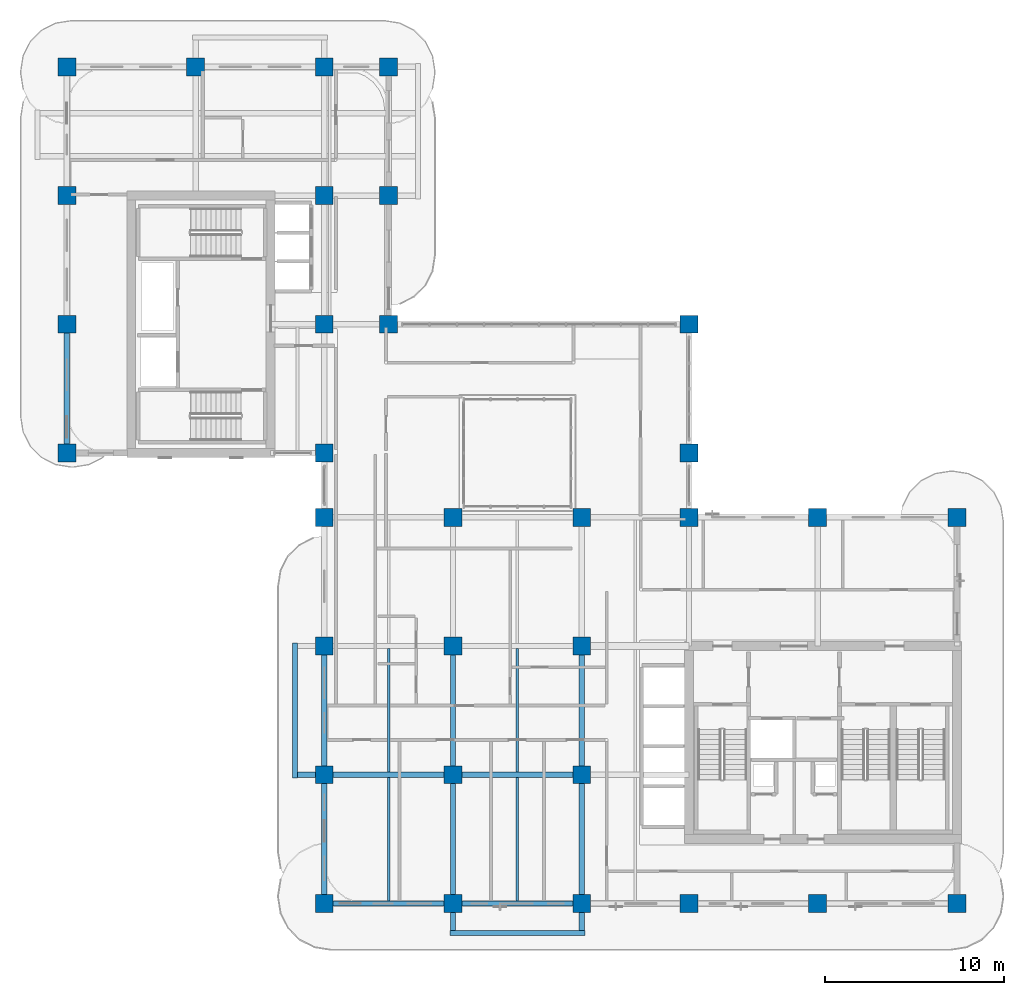
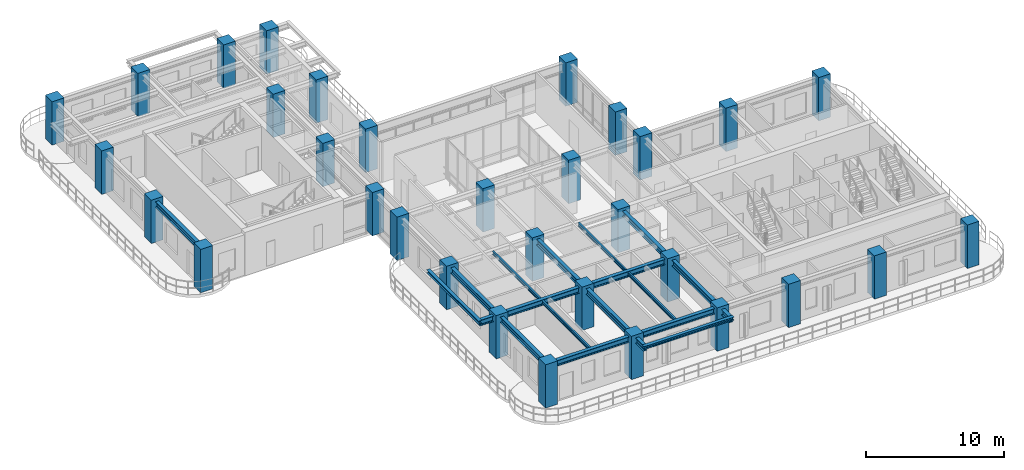
# One storey, part 1 of 21: 32 columns, 17 beams.
"""IFC4 building model written with IfcOpenShell, lengths in metres."""

from ifc_helpers import new_model, si_unit, derived_unit, direction, frame, origin, origin_2d, place, context, subcontext, project, spatial, rectangle, i_section, extrude, source, transform, mapped, material, material_profile, profile_set, type_object, type_shapes, element, save


model = new_model("IFC4")

# Units and contexts
model_context = context("Model", 3, precision=1e-05, world=origin(), true_north=direction((0.0, 1.0)))
body_context = subcontext(model_context, "Body", "Model", "MODEL_VIEW")
ifc_project = project(units=[si_unit("LENGTHUNIT", "METRE"), si_unit("AREAUNIT", "SQUARE_METRE"), si_unit("VOLUMEUNIT", "CUBIC_METRE"), si_unit("PLANEANGLEUNIT", "RADIAN"), si_unit("MASSUNIT", "GRAM", prefix="KILO"), si_unit("THERMODYNAMICTEMPERATUREUNIT", "KELVIN"), si_unit("POWERUNIT", "WATT"), derived_unit("THERMALTRANSMITTANCEUNIT", [(si_unit("POWERUNIT", "WATT"), 1), (si_unit("AREAUNIT", "SQUARE_METRE"), -1), (si_unit("THERMODYNAMICTEMPERATUREUNIT", "KELVIN"), -1)])], contexts=[model_context])

# Site, building, storey
site_placement = place(None, origin())
site = spatial("IfcSite", under=ifc_project, at=site_placement, CompositionType="ELEMENT")
building_placement = place(site_placement, origin())
building = spatial("IfcBuilding", under=site, at=building_placement, Name="Zahravan Archway Hotel and Residences", CompositionType="ELEMENT")
storey_placement = place(building_placement, frame((0.0, 0.0, 169.550048828125)))
storey = spatial("IfcBuildingStorey", under=building, at=storey_placement, Name="L42", CompositionType="ELEMENT", Elevation=169.550048828125)

# Columns
ifc_material_1 = material(Name="Concrete C60/75", Category="concrete")
ifc_material_profile_1 = material_profile(ifc_material_1, rectangle(XDim=1.0, YDim=1.0, at=origin_2d()), Name="RC-COL-1000x1000", Category="concrete")
ifc_profile_set_1 = profile_set([ifc_material_profile_1], Name="Concrete C60/75")
column_type = type_object("IfcColumnType", Name="COL-RC-1000", PredefinedType="COLUMN", material=ifc_profile_set_1)
shared_shape_1 = source(origin(), body_context, "Body", "SweptSolid", [
    extrude(rectangle(XDim=1.0, YDim=1.0, at=origin_2d()), origin(), (0.0, 0.0, 1.0), 3.849853515625),
])
for number, where, z_axis, x_axis, name in (
    (1, (0.0, 25.199951171875, 0.0), (0.0, 0.0, 1.0), (1.0, 0.0, 0.0), "L42 Column 1-E"),
    (2, (0.0, 32.39990234375, 0.0), (0.0, 0.0, 1.0), (1.0, 0.0, 0.0), "L42 Column 1-F"),
    (3, (0.0, 39.60009765625, 0.0), (0.0, 0.0, 1.0), (1.0, 0.0, 0.0), "L42 Column 1-G"),
    (4, (0.0, 46.800048828125, 0.0), (0.0, 0.0, 1.0), (1.0, 0.0, 0.0), "L42 Column 1-H"),
    (5, (7.199951171875, 46.800048828125, 0.0), (0.0, 0.0, 1.0), (1.0, 0.0, 0.0), "L42 Column 2-H"),
    (6, (14.39990234375, 0.0, 0.0), (0.0, 0.0, 1.0), (1.0, 0.0, 0.0), "L42 Column 3-A"),
    (7, (14.39990234375, 7.199951171875, 0.0), (0.0, 0.0, 1.0), (1.0, 0.0, 0.0), "L42 Column 3-B"),
    (8, (14.39990234375, 14.39990234375, 0.0), (0.0, 0.0, 1.0), (1.0, 0.0, 0.0), "L42 Column 3-C"),
    (9, (14.39990234375, 21.60009765625, 0.0), (0.0, 0.0, 1.0), (1.0, 0.0, 0.0), "L42 Column 3-D"),
    (10, (14.39990234375, 25.199951171875, 0.0), (0.0, 0.0, 1.0), (1.0, 0.0, 0.0), "L42 Column 3-E"),
    (11, (14.39990234375, 32.39990234375, 0.0), (0.0, 0.0, 1.0), (1.0, 0.0, 0.0), "L42 Column 3-F"),
    (12, (14.39990234375, 39.60009765625, 0.0), (0.0, 0.0, 1.0), (1.0, 0.0, 0.0), "L42 Column 3-G"),
    (13, (14.39990234375, 46.800048828125, 0.0), (0.0, 0.0, 1.0), (1.0, 0.0, 0.0), "L42 Column 3-H"),
    (14, (21.60009765625, 0.0, 0.0), (0.0, 0.0, 1.0), (1.0, 0.0, 0.0), "L42 Column 4-A"),
    (15, (21.60009765625, 7.199951171875, 0.0), (0.0, 0.0, 1.0), (1.0, 0.0, 0.0), "L42 Column 4-B"),
    (16, (21.60009765625, 14.39990234375, 0.0), (0.0, 0.0, 1.0), (1.0, 0.0, 0.0), "L42 Column 4-C"),
    (17, (21.60009765625, 21.60009765625, 0.0), (0.0, 0.0, 1.0), (1.0, 0.0, 0.0), "L42 Column 4-D"),
    (18, (28.800048828125, 0.0, 0.0), (0.0, 0.0, 1.0), (1.0, 0.0, 0.0), "L42 Column 5-A"),
    (19, (28.800048828125, 7.199951171875, 0.0), (0.0, 0.0, 1.0), (1.0, 0.0, 0.0), "L42 Column 5-B"),
    (20, (28.800048828125, 14.39990234375, 0.0), (0.0, 0.0, 1.0), (1.0, 0.0, 0.0), "L42 Column 5-C"),
    (21, (28.800048828125, 21.60009765625, 0.0), (0.0, 0.0, 1.0), (1.0, 0.0, 0.0), "L42 Column 5-D"),
    (22, (34.800048828125, 0.0, 0.0), (0.0, 0.0, 1.0), (1.0, 0.0, 0.0), "L42 Column 6-A"),
    (23, (34.800048828125, 21.60009765625, 0.0), (0.0, 0.0, 1.0), (1.0, 0.0, 0.0), "L42 Column 6-D"),
    (24, (34.800048828125, 25.199951171875, 0.0), (0.0, 0.0, 1.0), (1.0, 0.0, 0.0), "L42 Column 6-E"),
    (25, (34.800048828125, 32.39990234375, 0.0), (0.0, 0.0, 1.0), (1.0, 0.0, 0.0), "L42 Column 6-F"),
    (26, (42.0, 0.0, 0.0), (0.0, 0.0, 1.0), (1.0, 0.0, 0.0), "L42 Column 7-A"),
    (27, (42.0, 21.60009765625, 0.0), (0.0, 0.0, 1.0), (1.0, 0.0, 0.0), "L42 Column 7-D"),
    (28, (49.800048828125, 0.0, 0.0), (0.0, 0.0, 1.0), (1.0, 0.0, 0.0), "L42 Column 8-A"),
    (29, (49.800048828125, 21.60009765625, 0.0), (0.0, 0.0, 1.0), (1.0, 0.0, 0.0), "L42 Column 8-D"),
    (30, (18.0, 32.39990234375, 0.0), (0.0, 0.0, 1.0), (1.0, 0.0, 0.0), "L42 Column 3B-F"),
    (31, (18.0, 39.60009765625, 0.0), (0.0, 0.0, 1.0), (1.0, 0.0, 0.0), "L42 Column 3B-G"),
    (32, (18.0, 46.800048828125, 0.0), (0.0, 0.0, 1.0), (1.0, 0.0, 0.0), "L42 Column 3B-H"),
):
    element("IfcColumn", number, at=place(storey_placement, frame(where, z_axis=z_axis, x_axis=x_axis)), inside=storey, type_object=column_type, Name=name, PredefinedType="COLUMN", context=body_context, shape_type="MappedRepresentation", body=[
        mapped(shared_shape_1, transform((0.0, 0.0, 0.0), scale=1.0)),
    ])

# Beams
ifc_material_2 = material(Name="Structural Steel S355JR", Category="steel")
ifc_material_profile_2 = material_profile(ifc_material_2, i_section(OverallWidth=0.280029296875, OverallDepth=0.280029296875, WebThickness=0.010498046875, FlangeThickness=0.01806640625, FilletRadius=0.02392578125, at=origin_2d()), Name="HEB 280", Category="steel")
ifc_profile_set_2 = profile_set([ifc_material_profile_2], Name="Structural Steel S355JR")
beam_type_1 = type_object("IfcBeamType", Name="BM-SPN-HEB280", PredefinedType="SPANDREL", material=ifc_profile_set_2)
shared_shape_2 = source(origin(), body_context, "Body", "SweptSolid", [
    extrude(i_section(OverallWidth=0.280029296875, OverallDepth=0.280029296875, WebThickness=0.010498046875, FlangeThickness=0.01806640625, FilletRadius=0.02392578125, at=origin_2d()), origin(), (0.0, 0.0, 1.0), 7.56005859375),
])
type_shapes(beam_type_1, [shared_shape_2])
for number, where, z_axis, x_axis, name in (
    (33, (12.75, 7.02001953125, 3.4599609375), (0.0, 1.0, 0.0), (-1.0, 0.0, 0.0), "L43 WA Balcony Edge Spandrel"),
    (34, (21.419921875, -1.64990234375, 3.4599609375), (1.0, 0.0, 0.0), (0.0, 1.0, 0.0), "L43 SA Balcony Edge Spandrel"),
):
    element("IfcBeam", number, at=place(storey_placement, frame(where, z_axis=z_axis, x_axis=x_axis)), inside=storey, type_object=beam_type_1, Name=name, PredefinedType="SPANDREL", context=body_context, shape_type="MappedRepresentation", body=[
        mapped(shared_shape_2, transform((0.0, 0.0, 0.0), scale=1.0)),
    ])
ifc_material_profile_3 = material_profile(ifc_material_2, i_section(OverallWidth=0.300048828125, OverallDepth=0.5, WebThickness=0.014404296875, FlangeThickness=0.028076171875, FilletRadius=0.027099609375, at=origin_2d()), Name="HEB 500", Category="steel")
ifc_profile_set_3 = profile_set([ifc_material_profile_3], Name="Structural Steel S355JR")
beam_type_2 = type_object("IfcBeamType", Name="BM-PRI-HEB500", PredefinedType="BEAM", material=ifc_profile_set_3)
shared_shape_3 = source(origin(), body_context, "Body", "SweptSolid", [
    extrude(i_section(OverallWidth=0.300048828125, OverallDepth=0.5, WebThickness=0.014404296875, FlangeThickness=0.028076171875, FilletRadius=0.027099609375, at=origin_2d()), origin(), (0.0, 0.0, 1.0), 7.2001953125),
])
type_shapes(beam_type_2, [shared_shape_3])
beam_1_placement = place(storey_placement, frame((14.39990234375, 0.0, 3.349853515625), z_axis=(1.0, 0.0, 0.0), x_axis=(0.0, 1.0, 0.0)))
element("IfcBeam", 35, at=beam_1_placement, inside=storey, type_object=beam_type_2, Name="L42 Primary Girder EW-01", PredefinedType="BEAM", context=body_context, shape_type="MappedRepresentation", body=[
    mapped(shared_shape_3, transform((0.0, 0.0, 0.0), scale=1.0)),
])
shared_shape_4 = source(origin(), body_context, "Body", "SweptSolid", [
    extrude(i_section(OverallWidth=0.300048828125, OverallDepth=0.5, WebThickness=0.014404296875, FlangeThickness=0.028076171875, FilletRadius=0.027099609375, at=origin_2d()), origin(), (0.0, 0.0, 1.0), 7.199951171875),
])
for number, where, z_axis, x_axis, name in (
    (36, (21.60009765625, 0.0, 3.349853515625), (1.0, 0.0, 0.0), (0.0, 1.0, 0.0), "L42 Primary Girder EW-02"),
    (37, (21.60009765625, 7.199951171875, 3.349853515625), (1.0, 0.0, 0.0), (0.0, 1.0, 0.0), "L42 Primary Girder EW-07"),
    (38, (0.0, 25.199951171875, 3.349853515625), (0.0, 1.0, 0.0), (-1.0, 0.0, 0.0), "L42 Primary Girder NS-24"),
    (39, (14.39990234375, 0.0, 3.349853515625), (0.0, 1.0, 0.0), (-1.0, 0.0, 0.0), "L42 Primary Girder NS-28"),
    (40, (14.39990234375, 7.199951171875, 3.349853515625), (0.0, 1.0, 0.0), (-1.0, 0.0, 0.0), "L42 Primary Girder NS-29"),
    (41, (21.60009765625, 7.199951171875, 3.349853515625), (0.0, 1.0, 0.0), (-1.0, 0.0, 0.0), "L42 Primary Girder NS-36"),
    (42, (28.800048828125, 7.199951171875, 3.349853515625), (0.0, 1.0, 0.0), (-1.0, 0.0, 0.0), "L42 Primary Girder NS-39"),
):
    element("IfcBeam", number, at=place(storey_placement, frame(where, z_axis=z_axis, x_axis=x_axis)), inside=storey, type_object=beam_type_2, Name=name, PredefinedType="BEAM", context=body_context, shape_type="MappedRepresentation", body=[
        mapped(shared_shape_4, transform((0.0, 0.0, 0.0), scale=1.0)),
    ])
shared_shape_5 = source(origin(), body_context, "Body", "SweptSolid", [
    extrude(i_section(OverallWidth=0.300048828125, OverallDepth=0.5, WebThickness=0.014404296875, FlangeThickness=0.028076171875, FilletRadius=0.027099609375, at=origin_2d()), origin(), (0.0, 0.0, 1.0), 8.85009765625),
])
beam_2_placement = place(storey_placement, frame((12.75, 7.199951171875, 3.349853515625), z_axis=(1.0, 0.0, 0.0), x_axis=(0.0, 1.0, 0.0)))
element("IfcBeam", 43, at=beam_2_placement, inside=storey, type_object=beam_type_2, Name="L42 Primary Girder EW-06", PredefinedType="BEAM", context=body_context, shape_type="MappedRepresentation", body=[
    mapped(shared_shape_5, transform((0.0, 0.0, 0.0), scale=1.0)),
])
shared_shape_6 = source(origin(), body_context, "Body", "SweptSolid", [
    extrude(i_section(OverallWidth=0.300048828125, OverallDepth=0.5, WebThickness=0.014404296875, FlangeThickness=0.028076171875, FilletRadius=0.027099609375, at=origin_2d()), origin(), (0.0, 0.0, 1.0), 8.849853515625),
])
for number, where, z_axis, x_axis, name in (
    (44, (21.60009765625, -1.64990234375, 3.349853515625), (0.0, 1.0, 0.0), (-1.0, 0.0, 0.0), "L42 Primary Girder NS-35"),
    (45, (28.800048828125, -1.64990234375, 3.349853515625), (0.0, 1.0, 0.0), (-1.0, 0.0, 0.0), "L42 Primary Girder NS-38"),
):
    element("IfcBeam", number, at=place(storey_placement, frame(where, z_axis=z_axis, x_axis=x_axis)), inside=storey, type_object=beam_type_2, Name=name, PredefinedType="BEAM", context=body_context, shape_type="MappedRepresentation", body=[
        mapped(shared_shape_6, transform((0.0, 0.0, 0.0), scale=1.0)),
    ])
ifc_material_profile_4 = material_profile(ifc_material_2, i_section(OverallWidth=0.14990234375, OverallDepth=0.300048828125, WebThickness=0.007080078125, FlangeThickness=0.0107421875, FilletRadius=0.014892578125, at=origin_2d()), Name="IPE 300", Category="steel")
ifc_profile_set_4 = profile_set([ifc_material_profile_4], Name="Structural Steel S355JR")
beam_type_3 = type_object("IfcBeamType", Name="BM-JST-IPE300", PredefinedType="JOIST", material=ifc_profile_set_4)
shared_shape_7 = source(origin(), body_context, "Body", "SweptSolid", [
    extrude(i_section(OverallWidth=0.14990234375, OverallDepth=0.300048828125, WebThickness=0.007080078125, FlangeThickness=0.0107421875, FilletRadius=0.014892578125, at=origin_2d()), origin(), (0.0, 0.0, 1.0), 6.904052734375),
])
type_shapes(beam_type_3, [shared_shape_7])
for number, where, z_axis, x_axis, name in (
    (46, (18.0, 0.14794921875, 3.449951171875), (0.0, 1.0, 0.0), (-1.0, 0.0, 0.0), "L42 Composite Floor Joist 01"),
    (47, (25.199951171875, 0.14794921875, 3.449951171875), (0.0, 1.0, 0.0), (-1.0, 0.0, 0.0), "L42 Composite Floor Joist 02"),
    (48, (18.0, 7.347900390625, 3.449951171875), (0.0, 1.0, 0.0), (-1.0, 0.0, 0.0), "L42 Composite Floor Joist 04"),
    (49, (25.199951171875, 7.347900390625, 3.449951171875), (0.0, 1.0, 0.0), (-1.0, 0.0, 0.0), "L42 Composite Floor Joist 05"),
):
    element("IfcBeam", number, at=place(storey_placement, frame(where, z_axis=z_axis, x_axis=x_axis)), inside=storey, type_object=beam_type_3, Name=name, PredefinedType="JOIST", context=body_context, shape_type="MappedRepresentation", body=[
        mapped(shared_shape_7, transform((0.0, 0.0, 0.0), scale=1.0)),
    ])

save(model, "model.ifc")
